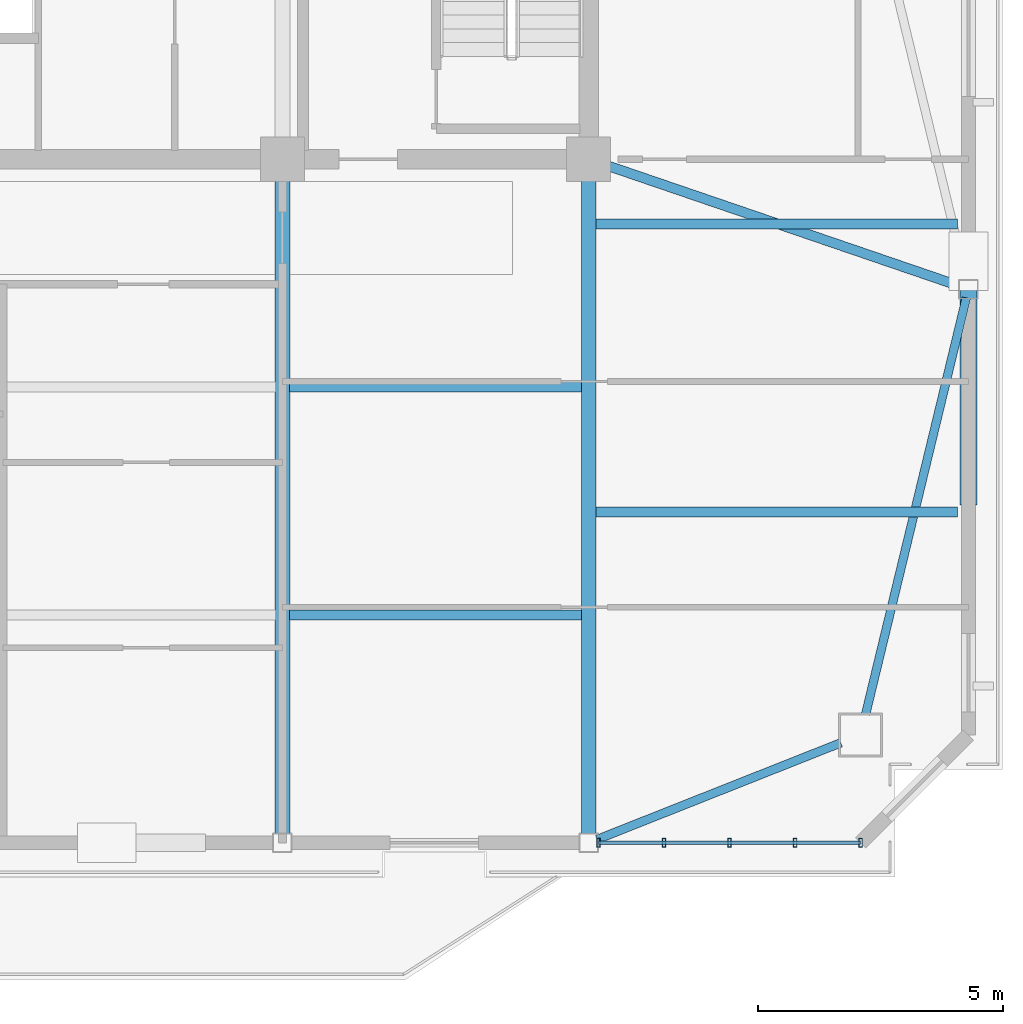
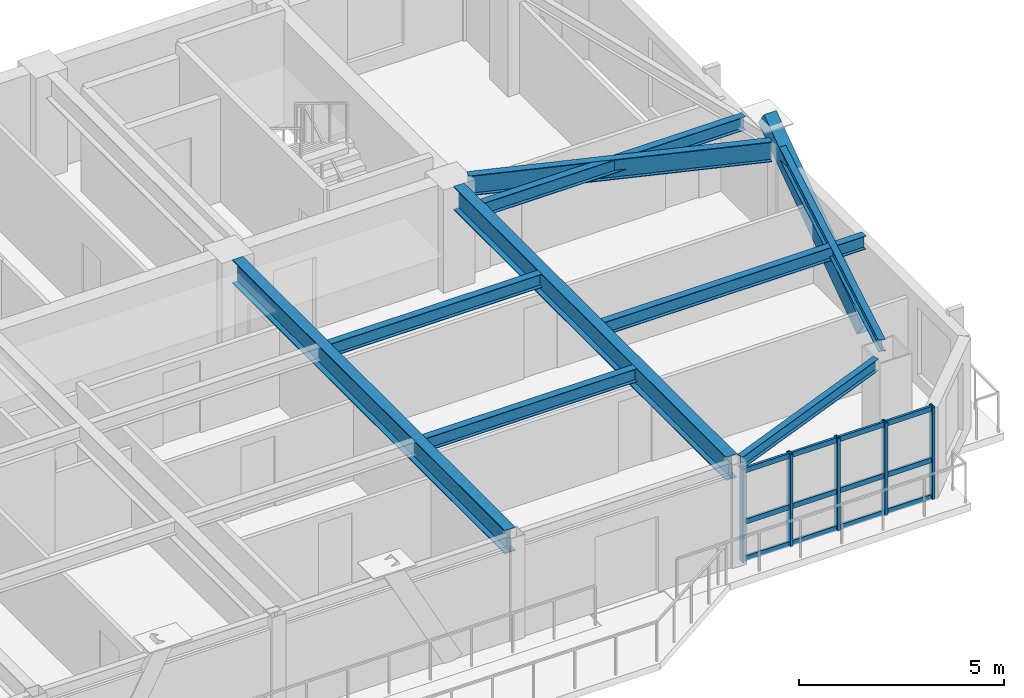
# One storey, part 4 of 13: 9 beams, 9 members, 1 element without a shape of its own.
"""IFC4 building model written with IfcOpenShell, lengths in metres."""

from ifc_helpers import new_model, si_unit, direction, frame, origin, origin_2d, place, context, subcontext, project, spatial, hollow_rectangle, i_section, extrude, source, transform, mapped, material, layer, layer_set, material_profile, profile_set, type_object, element, aggregate, save


model = new_model("IFC4")

# Units and contexts
model_context = context("Model", 3, precision=1e-05, world=origin(), true_north=direction((0.0, 1.0)))
body_context = subcontext(model_context, "Body", "Model", "MODEL_VIEW")
ifc_project = project(units=[si_unit("LENGTHUNIT", "METRE"), si_unit("AREAUNIT", "SQUARE_METRE"), si_unit("VOLUMEUNIT", "CUBIC_METRE"), si_unit("PLANEANGLEUNIT", "RADIAN"), si_unit("MASSUNIT", "GRAM", prefix="KILO")], contexts=[model_context])

# Site, building, storey
site_placement = place(None, origin())
site = spatial("IfcSite", under=ifc_project, at=site_placement, CompositionType="ELEMENT")
building_placement = place(site_placement, origin())
building = spatial("IfcBuilding", under=site, at=building_placement, Name="Giltprow Tower", CompositionType="ELEMENT")
storey_placement = place(building_placement, frame((0.0, 0.0, 349.300048828125)))
storey = spatial("IfcBuildingStorey", under=building, at=storey_placement, Name="L91", CompositionType="ELEMENT", Elevation=349.300048828125)

# Beams
ifc_material_1 = material(Name="Structural steel Q355B", Category="steel")
ifc_material_profile_1 = material_profile(ifc_material_1, i_section(OverallWidth=0.199951171875, OverallDepth=0.39990234375, WebThickness=0.008056640625, FlangeThickness=0.012939453125, at=origin_2d()), Name="HN 400x200x8x13")
ifc_profile_set_1 = profile_set([ifc_material_profile_1], Name="Structural steel Q355B")
beam_type_1 = type_object("IfcBeamType", Name="BM-JOIST-HN400", PredefinedType="JOIST", material=ifc_profile_set_1)
shared_shape_1 = source(origin(), body_context, "Body", "SweptSolid", [
    extrude(i_section(OverallWidth=0.199951171875, OverallDepth=0.39990234375, WebThickness=0.008056640625, FlangeThickness=0.012939453125, at=origin_2d()), origin(), (0.0, 0.0, 1.0), 5.9599609375),
])
for number, where, z_axis, x_axis, name in (
    (1, (44.445068359375, 28.14990234375, 2.8798828125), (1.0, 0.0, 0.0), (0.0, 1.0, 0.0), "L91 Composite Floor Joist 1-4"),
    (2, (44.445068359375, 32.800048828125, 2.8798828125), (1.0, 0.0, 0.0), (0.0, 1.0, 0.0), "L91 Composite Floor Joist 2-4"),
):
    element("IfcBeam", number, at=place(storey_placement, frame(where, z_axis=z_axis, x_axis=x_axis)), inside=storey, type_object=beam_type_1, Name=name, PredefinedType="JOIST", context=body_context, shape_type="MappedRepresentation", body=[
        mapped(shared_shape_1, transform((0.0, 0.0, 0.0), x_axis=(1.0, 0.0, 0.0), y_axis=(0.0, 1.0, 0.0), z_axis=(0.0, 0.0, 1.0), scale=1.0)),
    ])
ifc_material_profile_2 = material_profile(ifc_material_1, i_section(OverallWidth=0.175048828125, OverallDepth=0.35009765625, WebThickness=0.007080078125, FlangeThickness=0.010986328125, at=origin_2d()), Name="HN 350x175x7x11")
ifc_profile_set_2 = profile_set([ifc_material_profile_2], Name="Structural steel Q355B")
beam_type_2 = type_object("IfcBeamType", Name="BM-SPAN-HN350", PredefinedType="SPANDREL", material=ifc_profile_set_2)
shared_shape_2 = source(origin(), body_context, "Body", "SweptSolid", [
    extrude(i_section(OverallWidth=0.175048828125, OverallDepth=0.35009765625, WebThickness=0.007080078125, FlangeThickness=0.010986328125, at=origin_2d()), origin(), (0.0, 0.0, 1.0), 5.350830078125),
])
beam_1_placement = place(storey_placement, frame((50.721923828125, 23.568115234375, 2.905029296875), z_axis=(0.929614560118, 0.368533267992, 0.0), x_axis=(-0.368533267992, 0.929614560118, 0.0)))
element("IfcBeam", 3, at=beam_1_placement, inside=storey, type_object=beam_type_2, Name="L91 Perimeter Spandrel Beam S4-MC_SE", PredefinedType="SPANDREL", context=body_context, shape_type="MappedRepresentation", body=[
    mapped(shared_shape_2, transform((0.0, 0.0, 0.0), x_axis=(1.0, 0.0, 0.0), y_axis=(0.0, 1.0, 0.0), z_axis=(0.0, 0.0, 1.0), scale=1.0)),
])
shared_shape_3 = source(origin(), body_context, "Body", "SweptSolid", [
    extrude(i_section(OverallWidth=0.175048828125, OverallDepth=0.35009765625, WebThickness=0.007080078125, FlangeThickness=0.010986328125, at=origin_2d()), origin(), (0.0, 0.0, 1.0), 8.7421875),
])
beam_2_placement = place(storey_placement, frame((56.201904296875, 26.123046875, 2.905029296875), z_axis=(0.235090039637, 0.971973596999, 0.0), x_axis=(-0.971973596999, 0.235090039637, 0.0)))
element("IfcBeam", 4, at=beam_2_placement, inside=storey, type_object=beam_type_2, Name="L91 Perimeter Spandrel Beam MC_SE-E_MID", PredefinedType="SPANDREL", context=body_context, shape_type="MappedRepresentation", body=[
    mapped(shared_shape_3, transform((0.0, 0.0, 0.0), x_axis=(1.0, 0.0, 0.0), y_axis=(0.0, 1.0, 0.0), z_axis=(0.0, 0.0, 1.0), scale=1.0)),
])
ifc_material_profile_3 = material_profile(ifc_material_1, i_section(OverallWidth=0.300048828125, OverallDepth=0.699951171875, WebThickness=0.012939453125, FlangeThickness=0.02392578125, at=origin_2d()), Name="HN 700x300x13x24")
ifc_profile_set_3 = profile_set([ifc_material_profile_3], Name="Structural steel Q355B")
beam_type_3 = type_object("IfcBeamType", Name="BM-GIRD-HN700", PredefinedType="BEAM", material=ifc_profile_set_3)
shared_shape_4 = source(origin(), body_context, "Body", "SweptSolid", [
    extrude(i_section(OverallWidth=0.300048828125, OverallDepth=0.699951171875, WebThickness=0.012939453125, FlangeThickness=0.02392578125, at=origin_2d()), origin(), (0.0, 0.0, 1.0), 13.329833984375),
])
for number, where, z_axis, x_axis, name in (
    (5, (44.300048828125, 23.68505859375, 2.72998046875), (0.0, 1.0, 0.0), (-1.0, 0.0, 0.0), "L91 Primary Lease Girder S3"),
    (6, (50.550048828125, 23.68505859375, 2.72998046875), (0.0, 1.0, 0.0), (-1.0, 0.0, 0.0), "L91 Primary Lease Girder S4"),
):
    element("IfcBeam", number, at=place(storey_placement, frame(where, z_axis=z_axis, x_axis=x_axis)), inside=storey, type_object=beam_type_3, Name=name, PredefinedType="BEAM", context=body_context, shape_type="MappedRepresentation", body=[
        mapped(shared_shape_4, transform((0.0, 0.0, 0.0), x_axis=(1.0, 0.0, 0.0), y_axis=(0.0, 1.0, 0.0), z_axis=(0.0, 0.0, 1.0), scale=1.0)),
    ])
ifc_material_profile_4 = material_profile(ifc_material_1, i_section(OverallWidth=0.199951171875, OverallDepth=0.60009765625, WebThickness=0.010986328125, FlangeThickness=0.01708984375, at=origin_2d()), Name="HN 600x200x11x17")
ifc_profile_set_4 = profile_set([ifc_material_profile_4], Name="Structural steel Q355B")
beam_type_4 = type_object("IfcBeamType", Name="BM-GIRD-HN600", PredefinedType="BEAM", material=ifc_profile_set_4)
shared_shape_5 = source(origin(), body_context, "Body", "SweptSolid", [
    extrude(i_section(OverallWidth=0.199951171875, OverallDepth=0.60009765625, WebThickness=0.010986328125, FlangeThickness=0.01708984375, at=origin_2d()), origin(), (0.0, 0.0, 1.0), 7.570068359375),
])
beam_3_placement = place(storey_placement, frame((58.125, 34.860107421875, 2.780029296875), z_axis=(-0.946226868373, 0.323503807657, 0.0), x_axis=(-0.323503807657, -0.946226868373, 0.0)))
element("IfcBeam", 7, at=beam_3_placement, inside=storey, type_object=beam_type_4, Name="L91 East Wing Primary Girder", PredefinedType="BEAM", context=body_context, shape_type="MappedRepresentation", body=[
    mapped(shared_shape_5, transform((0.0, 0.0, 0.0), x_axis=(1.0, 0.0, 0.0), y_axis=(0.0, 1.0, 0.0), z_axis=(0.0, 0.0, 1.0), scale=1.0)),
])
shared_shape_6 = source(origin(), body_context, "Body", "SweptSolid", [
    extrude(i_section(OverallWidth=0.199951171875, OverallDepth=0.39990234375, WebThickness=0.008056640625, FlangeThickness=0.012939453125, at=origin_2d()), origin(), (0.0, 0.0, 1.0), 7.385009765625),
])
for number, where, z_axis, x_axis, name in (
    (8, (50.695068359375, 30.25, 2.8798828125), (1.0, 0.0, 0.0), (0.0, 1.0, 0.0), "L91 East Wing Floor Joist 1"),
    (9, (50.695068359375, 36.125, 2.8798828125), (1.0, 0.0, 0.0), (0.0, 1.0, 0.0), "L91 East Wing Floor Joist 2"),
):
    element("IfcBeam", number, at=place(storey_placement, frame(where, z_axis=z_axis, x_axis=x_axis)), inside=storey, type_object=beam_type_1, Name=name, PredefinedType="JOIST", context=body_context, shape_type="MappedRepresentation", body=[
        mapped(shared_shape_6, transform((0.0, 0.0, 0.0), x_axis=(1.0, 0.0, 0.0), y_axis=(0.0, 1.0, 0.0), z_axis=(0.0, 0.0, 1.0), scale=1.0)),
    ])

# Member
ifc_material_2 = material(Name="Structural steel Q420GJC", Category="steel")
ifc_material_profile_5 = material_profile(ifc_material_2, hollow_rectangle(XDim=0.35009765625, YDim=0.5, WallThickness=0.02392578125, at=origin_2d()), Name="RHS 500x350x24")
ifc_profile_set_5 = profile_set([ifc_material_profile_5], Name="Structural steel Q420GJC")
member_type_1 = type_object("IfcMemberType", Name="MBR-MEGA-RHS500", PredefinedType="BRACE", material=ifc_profile_set_5)
shared_shape_7 = source(origin(), body_context, "Body", "SweptSolid", [
    extrude(hollow_rectangle(XDim=0.35009765625, YDim=0.5, WallThickness=0.02392578125, at=origin_2d()), origin(), (0.0, 0.0, 1.0), 5.91064453125),
])
member_1_placement = place(storey_placement, frame((58.300048828125, 30.533935546875, 0.0), z_axis=(0.0, 0.818003649856, 0.575213029079), x_axis=(-1.0, 0.0, 0.0)))
element("IfcMember", 10, at=member_1_placement, inside=storey, type_object=member_type_1, Name="L91 Chevron Mega-Brace E-D", PredefinedType="BRACE", context=body_context, shape_type="MappedRepresentation", body=[
    mapped(shared_shape_7, transform((0.0, 0.0, 0.0), x_axis=(1.0, 0.0, 0.0), y_axis=(0.0, 1.0, 0.0), z_axis=(0.0, 0.0, 1.0), scale=1.0)),
])

# Curtain wall, members
ifc_material_3 = material(Name="Anodized bronze", Category="metal")
ifc_layer = layer(ifc_material_3, 0.179931640625, Name="Anodized bronze")
ifc_layer_set = layer_set([ifc_layer], Name="Anodized bronze")
curtain_wall_type = type_object("IfcCurtainWallType", Name="CW-RES-SKY", PredefinedType="NOTDEFINED", material=ifc_layer_set)
curtain_wall_placement = place(storey_placement, origin())
curtain_wall = element("IfcCurtainWall", 11, at=curtain_wall_placement, inside=storey, type_object=curtain_wall_type, Name="L91 South Recessed Curtain Wall 6", PredefinedType="NOTDEFINED")
ifc_material_profile_6 = material_profile(ifc_material_3, hollow_rectangle(XDim=0.06494140625, YDim=0.14990234375, WallThickness=0.006103515625, at=origin_2d()), Name="RHS 150x65x6")
ifc_profile_set_6 = profile_set([ifc_material_profile_6], Name="Anodized bronze")
member_type_2 = type_object("IfcMemberType", Name="CW-TRANSOM-150x65", PredefinedType="USERDEFINED", material=ifc_profile_set_6)
shared_shape_8 = source(origin(), body_context, "Body", "SweptSolid", [
    extrude(hollow_rectangle(XDim=0.06494140625, YDim=0.14990234375, WallThickness=0.006103515625, at=origin_2d()), origin(), (0.0, 0.0, 1.0), 5.35009765625),
])
member_2_placement = place(storey_placement, frame((50.75, 23.5, 0.0400390625), z_axis=(1.0, 0.0, 0.0), x_axis=(0.0, 1.0, 0.0)))
member_2 = element("IfcMember", 12, at=member_2_placement, type_object=member_type_2, Name="L91 South Recessed Curtain Wall 6 Transom 1", ObjectType="TRANSOM", PredefinedType="USERDEFINED", context=body_context, shape_type="MappedRepresentation", body=[
    mapped(shared_shape_8, transform((0.0, 0.0, 0.0), x_axis=(1.0, 0.0, 0.0), y_axis=(0.0, 1.0, 0.0), z_axis=(0.0, 0.0, 1.0), scale=1.0)),
])
member_3_placement = place(storey_placement, frame((50.75, 23.5, 1.137939453125), z_axis=(1.0, 0.0, 0.0), x_axis=(0.0, 1.0, 0.0)))
member_3 = element("IfcMember", 13, at=member_3_placement, type_object=member_type_2, Name="L91 South Recessed Curtain Wall 6 Transom 2", ObjectType="TRANSOM", PredefinedType="USERDEFINED", context=body_context, shape_type="MappedRepresentation", body=[
    mapped(shared_shape_8, transform((0.0, 0.0, 0.0), x_axis=(1.0, 0.0, 0.0), y_axis=(0.0, 1.0, 0.0), z_axis=(0.0, 0.0, 1.0), scale=1.0)),
])
member_4_placement = place(storey_placement, frame((50.75, 23.5, 2.669921875), z_axis=(1.0, 0.0, 0.0), x_axis=(0.0, 1.0, 0.0)))
member_4 = element("IfcMember", 14, at=member_4_placement, type_object=member_type_2, Name="L91 South Recessed Curtain Wall 6 Transom 3", ObjectType="TRANSOM", PredefinedType="USERDEFINED", context=body_context, shape_type="MappedRepresentation", body=[
    mapped(shared_shape_8, transform((0.0, 0.0, 0.0), x_axis=(1.0, 0.0, 0.0), y_axis=(0.0, 1.0, 0.0), z_axis=(0.0, 0.0, 1.0), scale=1.0)),
])
ifc_material_profile_7 = material_profile(ifc_material_3, hollow_rectangle(XDim=0.074951171875, YDim=0.179931640625, WallThickness=0.008056640625, at=origin_2d()), Name="RHS 180x75x8")
ifc_profile_set_7 = profile_set([ifc_material_profile_7], Name="Anodized bronze")
member_type_3 = type_object("IfcMemberType", Name="CW-MULLION-180x75", PredefinedType="MULLION", material=ifc_profile_set_7)
shared_shape_9 = source(origin(), body_context, "Body", "SweptSolid", [
    extrude(hollow_rectangle(XDim=0.074951171875, YDim=0.179931640625, WallThickness=0.008056640625, at=origin_2d()), origin(), (0.0, 0.0, 1.0), 2.764892578125),
])
member_5_placement = place(storey_placement, frame((50.75, 23.5, -0.02001953125), z_axis=(0.0, 0.0, 1.0), x_axis=(1.0, 0.0, 0.0)))
member_5 = element("IfcMember", 15, at=member_5_placement, type_object=member_type_3, Name="L91 South Recessed Curtain Wall 6 Mullion 1", PredefinedType="MULLION", context=body_context, shape_type="MappedRepresentation", body=[
    mapped(shared_shape_9, transform((0.0, 0.0, 0.0), x_axis=(1.0, 0.0, 0.0), y_axis=(0.0, 1.0, 0.0), z_axis=(0.0, 0.0, 1.0), scale=1.0)),
])
member_6_placement = place(storey_placement, frame((52.0869140625, 23.5, -0.02001953125), z_axis=(0.0, 0.0, 1.0), x_axis=(1.0, 0.0, 0.0)))
member_6 = element("IfcMember", 16, at=member_6_placement, type_object=member_type_3, Name="L91 South Recessed Curtain Wall 6 Mullion 2", PredefinedType="MULLION", context=body_context, shape_type="MappedRepresentation", body=[
    mapped(shared_shape_9, transform((0.0, 0.0, 0.0), x_axis=(1.0, 0.0, 0.0), y_axis=(0.0, 1.0, 0.0), z_axis=(0.0, 0.0, 1.0), scale=1.0)),
])
member_7_placement = place(storey_placement, frame((53.425048828125, 23.5, -0.02001953125), z_axis=(0.0, 0.0, 1.0), x_axis=(1.0, 0.0, 0.0)))
member_7 = element("IfcMember", 17, at=member_7_placement, type_object=member_type_3, Name="L91 South Recessed Curtain Wall 6 Mullion 3", PredefinedType="MULLION", context=body_context, shape_type="MappedRepresentation", body=[
    mapped(shared_shape_9, transform((0.0, 0.0, 0.0), x_axis=(1.0, 0.0, 0.0), y_axis=(0.0, 1.0, 0.0), z_axis=(0.0, 0.0, 1.0), scale=1.0)),
])
member_8_placement = place(storey_placement, frame((54.762939453125, 23.5, -0.02001953125), z_axis=(0.0, 0.0, 1.0), x_axis=(1.0, 0.0, 0.0)))
member_8 = element("IfcMember", 18, at=member_8_placement, type_object=member_type_3, Name="L91 South Recessed Curtain Wall 6 Mullion 4", PredefinedType="MULLION", context=body_context, shape_type="MappedRepresentation", body=[
    mapped(shared_shape_9, transform((0.0, 0.0, 0.0), x_axis=(1.0, 0.0, 0.0), y_axis=(0.0, 1.0, 0.0), z_axis=(0.0, 0.0, 1.0), scale=1.0)),
])
member_9_placement = place(storey_placement, frame((56.10009765625, 23.5, -0.02001953125), z_axis=(0.0, 0.0, 1.0), x_axis=(1.0, 0.0, 0.0)))
member_9 = element("IfcMember", 19, at=member_9_placement, type_object=member_type_3, Name="L91 South Recessed Curtain Wall 6 Mullion 5", PredefinedType="MULLION", context=body_context, shape_type="MappedRepresentation", body=[
    mapped(shared_shape_9, transform((0.0, 0.0, 0.0), x_axis=(1.0, 0.0, 0.0), y_axis=(0.0, 1.0, 0.0), z_axis=(0.0, 0.0, 1.0), scale=1.0)),
])
aggregate(curtain_wall, [member_5, member_6, member_7, member_8, member_9, member_2, member_3, member_4])

save(model, "model.ifc")
